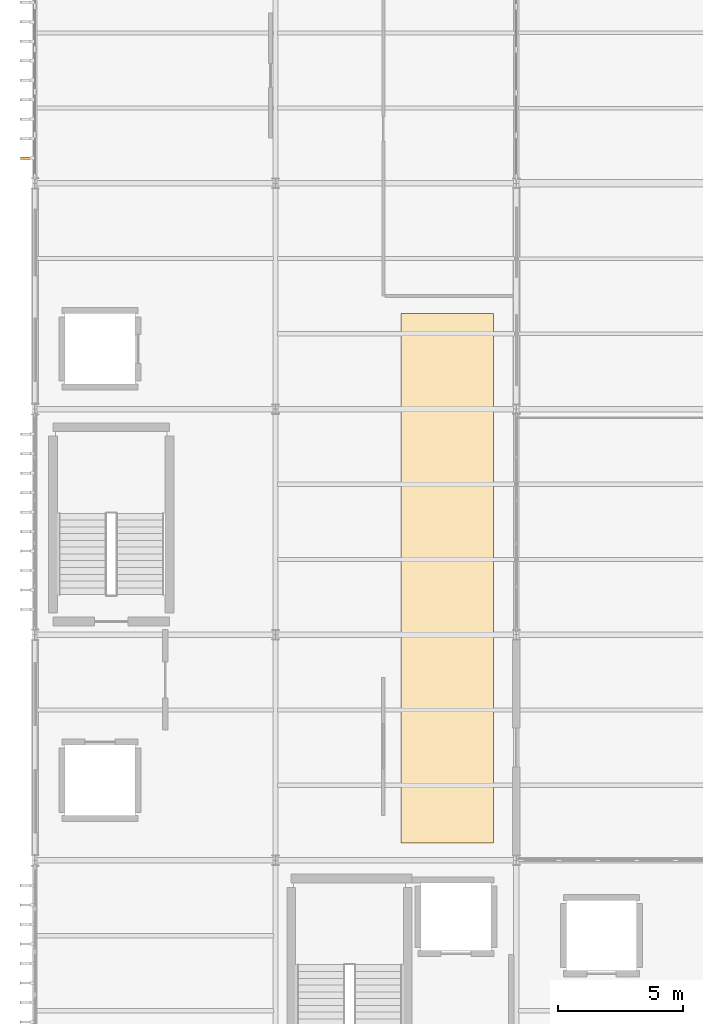
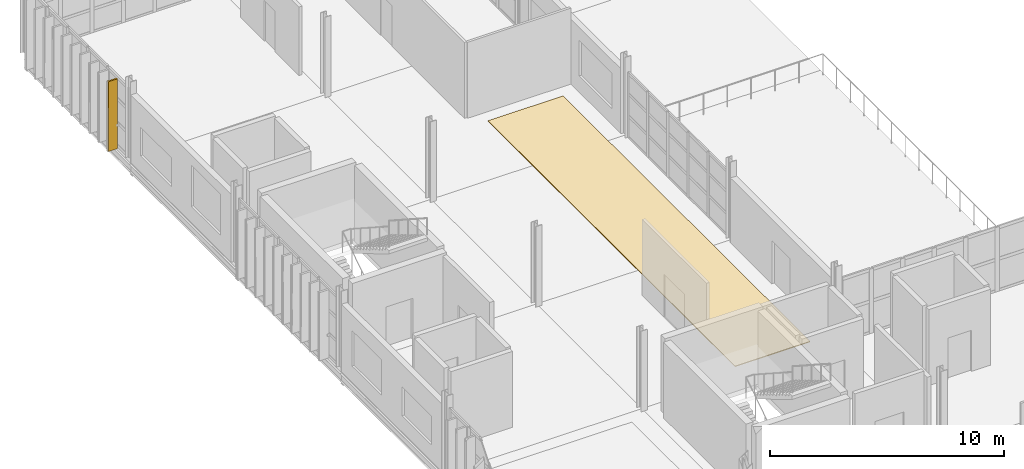
# One storey, part 37 of 38: 1 covering, 1 shading device.
"""IFC4 building model written with IfcOpenShell, lengths in metres."""

from ifc_helpers import new_model, si_unit, direction, frame, origin, origin_2d, place, context, subcontext, project, spatial, polyline, rectangle, outline, extrude, material, layer, layer_set, type_object, element, save


model = new_model("IFC4")

# Units and contexts
model_context = context("Model", 3, precision=1e-05, world=origin(), true_north=direction((0.0, 1.0)))
body_context = subcontext(model_context, "Body", "Model", "MODEL_VIEW")
ifc_project = project(units=[si_unit("LENGTHUNIT", "METRE"), si_unit("AREAUNIT", "SQUARE_METRE"), si_unit("VOLUMEUNIT", "CUBIC_METRE"), si_unit("PLANEANGLEUNIT", "RADIAN"), si_unit("MASSUNIT", "GRAM", prefix="KILO")], contexts=[model_context])

# Site, building, storey
site_placement = place(None, origin())
site = spatial("IfcSite", under=ifc_project, at=site_placement, CompositionType="ELEMENT")
building_placement = place(site_placement, origin())
building = spatial("IfcBuilding", under=site, at=building_placement, Name="Zarnetskaya Central Station", CompositionType="ELEMENT")
storey_placement = place(building_placement, frame((0.0, 0.0, 18.60009765625)))
storey = spatial("IfcBuildingStorey", under=building, at=storey_placement, Name="L04", CompositionType="ELEMENT", Elevation=18.60009765625)

# Covering
ifc_material_1 = material(Name="Granite stone flooring", Category="masonry")
ifc_layer = layer(ifc_material_1, 0.0400390625, Name="Granite stone flooring", Category="masonry")
ifc_layer_set = layer_set([ifc_layer], Name="Granite stone flooring")
covering_type = type_object("IfcCoveringType", Name="COV-GRAN-FLR", PredefinedType="FLOORING", material=ifc_layer_set)
covering_placement = place(storey_placement, origin())
element("IfcCovering", 1, at=covering_placement, inside=storey, type_object=covering_type, Name="Granite terrazzo floor finish L04-604", PredefinedType="FLOORING", context=body_context, shape_type="SweptSolid", body=[
    extrude(outline(polyline([(14.60009765625, 22.89990234375), (18.300048828125, 22.89990234375), (18.300048828125, 44.0), (14.60009765625, 44.0), (14.60009765625, 22.89990234375)])), origin(), (0.0, 0.0, 1.0), 0.039794921875),
])

# Shading device
ifc_material_2 = material(Name="Larch glulam GL28h", Category="wood")
shading_device_type = type_object("IfcShadingDeviceType", Name="SHD-LARCH-FIN-B", PredefinedType="USERDEFINED", material=ifc_material_2)
shading_device_placement = place(storey_placement, frame((-0.340087890625, 50.202392578125, 0.0), z_axis=(0.0, 0.0, 1.0), x_axis=(0.0, 1.0, 0.0)))
element("IfcShadingDevice", 2, at=shading_device_placement, inside=storey, type_object=shading_device_type, Name="Vertical larch timber fin CW-L04-050-01", ObjectType="TIMBER FIN", PredefinedType="USERDEFINED", context=body_context, shape_type="SweptSolid", body=[
    extrude(rectangle(XDim=0.0849609375, YDim=0.4599609375, at=origin_2d()), origin(), (0.0, 0.0, 1.0), 3.639892578125),
])

save(model, "model.ifc")
